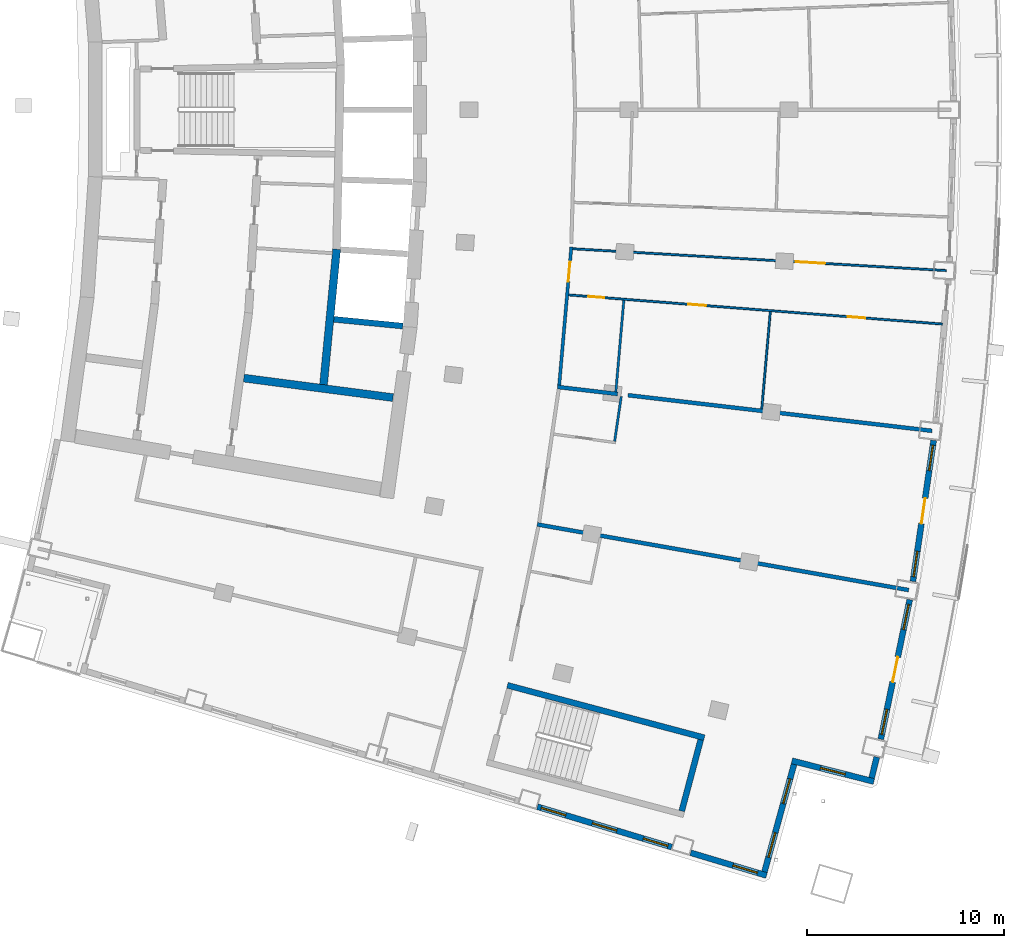
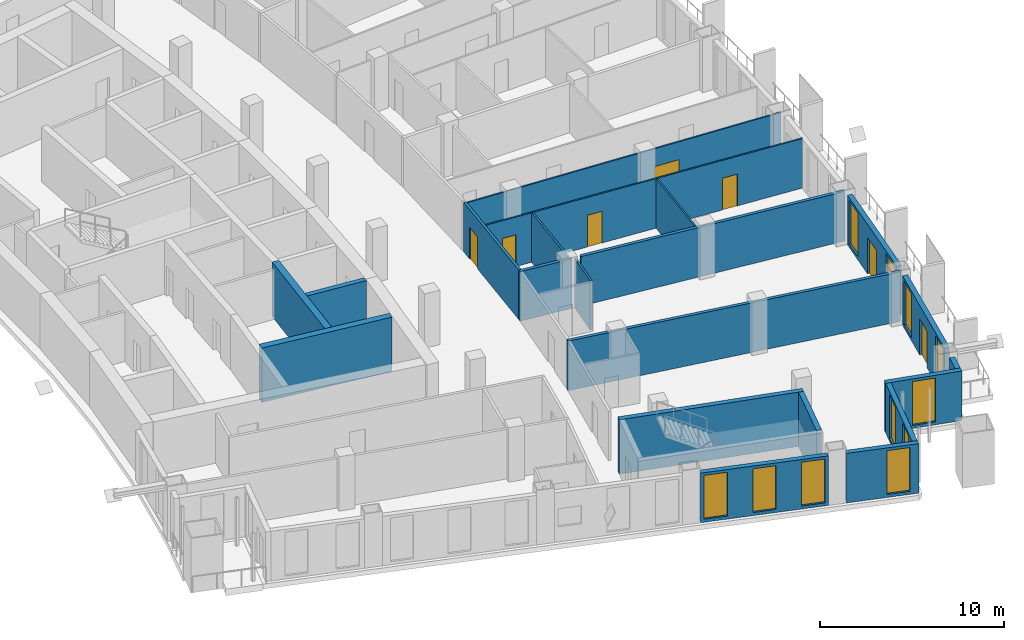
# One storey, part 12 of 21: 21 walls, 11 windows, 7 doors, 18 openings.
"""IFC4 building model written with IfcOpenShell, lengths in metres."""

from ifc_helpers import new_model, si_unit, direction, frame, frame_2d, origin, place, context, subcontext, project, spatial, rectangle, extrude, material, layer, layer_set, type_object, element, fill, save


model = new_model("IFC4")

# Units and contexts
model_context = context("Model", 3, precision=1e-05, world=origin(), true_north=direction((0.0, 1.0)))
body_context = subcontext(model_context, "Body", "Model", "MODEL_VIEW")
ifc_project = project(units=[si_unit("LENGTHUNIT", "METRE"), si_unit("AREAUNIT", "SQUARE_METRE"), si_unit("VOLUMEUNIT", "CUBIC_METRE"), si_unit("PLANEANGLEUNIT", "RADIAN"), si_unit("MASSUNIT", "GRAM", prefix="KILO")], contexts=[model_context])

# Site, building, storey
site_placement = place(None, origin())
site = spatial("IfcSite", under=ifc_project, at=site_placement, CompositionType="ELEMENT")
building_placement = place(site_placement, origin())
building = spatial("IfcBuilding", under=site, at=building_placement, Name="Alderwake Tower", CompositionType="ELEMENT")
storey_placement = place(building_placement, frame((0.0, 0.0, 146.0)))
storey = spatial("IfcBuildingStorey", under=building, at=storey_placement, Name="L35", CompositionType="ELEMENT", Elevation=146.0)

# Walls
ifc_material_1 = material(Name="Concrete C70/85", Category="concrete")
ifc_layer_1 = layer(ifc_material_1, 0.300048828125)
ifc_layer_set_1 = layer_set([ifc_layer_1], Name="Core wall shaft 300 C70-85")
wall_type_1 = type_object("IfcWallType", Name="Core wall shaft 300 C70-85", PredefinedType="SHEAR", material=ifc_layer_set_1)
wall_1_placement = place(storey_placement, frame((28.92529296875, 50.341552734375, 0.0), z_axis=(0.0, 0.0, 1.0), x_axis=(0.995245524877, -0.097397870674, 0.0)))
element("IfcWall", 1, at=wall_1_placement, inside=storey, type_object=wall_type_1, Name="Core wall CW.064", PredefinedType="SHEAR", context=body_context, shape_type="SweptSolid", body=[
    extrude(rectangle(XDim=3.5244140625, YDim=0.300048828125, at=frame_2d((1.76220703125, 0.0))), origin(), (0.0, 0.0, 1.0), 3.60009765625),
])
ifc_material_2 = material(Name="Concrete C70/85", Category="concrete")
ifc_layer_2 = layer(ifc_material_2, 0.39990234375)
ifc_layer_set_2 = layer_set([ifc_layer_2], Name="Core wall spine 400 C70-85")
wall_type_2 = type_object("IfcWallType", Name="Core wall spine 400 C70-85", PredefinedType="SHEAR", material=ifc_layer_set_2)
wall_2_placement = place(storey_placement, frame((28.402587890625, 47.0234375, 0.0), z_axis=(0.0, 0.0, 1.0), x_axis=(0.096500230077, 0.995332962177, 0.0)))
element("IfcWall", 2, at=wall_2_placement, inside=storey, type_object=wall_type_2, Name="Core wall CW.005", PredefinedType="SHEAR", context=body_context, shape_type="SweptSolid", body=[
    extrude(rectangle(XDim=6.914306640625, YDim=0.39990234375, at=frame_2d((3.45703125, 0.0))), origin(), (0.0, 0.0, 1.0), 3.60009765625),
])
wall_3_placement = place(storey_placement, frame((24.347900390625, 47.35205078125, 0.0), z_axis=(0.0, 0.0, 1.0), x_axis=(0.991554795689, -0.129688423329, 0.0)))
element("IfcWall", 3, at=wall_3_placement, inside=storey, type_object=wall_type_2, Name="Core wall CW.069", PredefinedType="SHEAR", context=body_context, shape_type="SweptSolid", body=[
    extrude(rectangle(XDim=7.650634765625, YDim=0.39990234375, at=frame_2d((3.8251953125, 0.0))), origin(), (0.0, 0.0, 1.0), 3.60009765625),
])
ifc_material_3 = material(Name="Concrete C70/85", Category="concrete")
ifc_layer_3 = layer(ifc_material_3, 0.300048828125)
ifc_layer_set_3 = layer_set([ifc_layer_3], Name="Core wall stair enclosure 300 C70-85")
wall_type_3 = type_object("IfcWallType", Name="Core wall stair enclosure 300 C70-85", PredefinedType="SHEAR", material=ifc_layer_set_3)
wall_4_placement = place(storey_placement, frame((37.75390625, 31.731201171875, 0.0), z_axis=(0.0, 0.0, 1.0), x_axis=(0.966309214305, -0.257383958996, 0.0)))
element("IfcWall", 4, at=wall_4_placement, inside=storey, type_object=wall_type_3, Name="Core wall CW.086", PredefinedType="SHEAR", context=body_context, shape_type="SweptSolid", body=[
    extrude(rectangle(XDim=10.360107421875, YDim=0.300048828125, at=frame_2d((5.18017578125, 0.0))), origin(), (0.0, 0.0, 1.0), 3.60009765625),
])
wall_5_placement = place(storey_placement, frame((46.6162109375, 25.334716796875, 0.0), z_axis=(0.0, 0.0, 1.0), x_axis=(0.257366821694, 0.966313778796, 0.0)))
element("IfcWall", 5, at=wall_5_placement, inside=storey, type_object=wall_type_3, Name="Core wall CW.085", PredefinedType="SHEAR", context=body_context, shape_type="SweptSolid", body=[
    extrude(rectangle(XDim=3.749755859375, YDim=0.300048828125, at=frame_2d((1.875, 0.0))), origin(), (0.0, 0.0, 1.0), 3.60009765625),
])

# Wall, opening, door
ifc_material_4 = material(Name="Gypsum board on metal studs, rated")
ifc_layer_4 = layer(ifc_material_4, 0.159912109375)
ifc_layer_set_4 = layer_set([ifc_layer_4], Name="Corridor wall 160")
wall_type_4 = type_object("IfcWallType", Name="Corridor wall 160", PredefinedType="PARTITIONING", material=ifc_layer_set_4)
wall_6_placement = place(storey_placement, frame((41.001953125, 54.013671875, 0.0), z_axis=(0.0, 0.0, 1.0), x_axis=(-0.087430787456, -0.996170596537, 0.0)))
wall_6 = element("IfcWall", 6, at=wall_6_placement, inside=storey, type_object=wall_type_4, Name="WL/L35/W24", PredefinedType="PARTITIONING", context=body_context, shape_type="SweptSolid", body=[
    extrude(rectangle(XDim=7.048095703125, YDim=0.159912109375, at=frame_2d((3.52392578125, 0.0))), origin(), (0.0, 0.0, 1.0), 3.280029296875),
])
opening_1_placement = place(wall_6_placement, frame((0.75830078125, 0.0, 0.0)))
opening_1 = element("IfcOpeningElement", 7, at=opening_1_placement, cuts=wall_6, Name="Opening R09-U05.2", PredefinedType="OPENING", context=body_context, shape_type="SweptSolid", body=[
    extrude(rectangle(XDim=1.0, YDim=2.10009765625, at=frame_2d((0.5, 1.050048828125))), frame((0.0, 0.08984375, 0.0), z_axis=(0.0, -1.0, 0.0), x_axis=(1.0, 0.0, 0.0)), (0.0, 0.0, 1.0), 0.179931640625),
])
ifc_material_5 = material(Name="Solid timber leaf in steel frame", Category="steel")
door_type_1 = type_object("IfcDoorType", Name="Flat entrance door 1000 fire-rated", OperationType="SINGLE_SWING_LEFT", PredefinedType="DOOR", material=ifc_material_5)
door_1_placement = place(opening_1_placement, origin())
door_1 = element("IfcDoor", 8, at=door_1_placement, inside=storey, type_object=door_type_1, Name="DR/L35/U05.2", OperationType="SINGLE_SWING_LEFT", OverallHeight=2.10009765625, OverallWidth=1.0, PredefinedType="DOOR", context=body_context, shape_type="SweptSolid", body=[
    extrude(rectangle(XDim=1.0, YDim=2.10009765625, at=frame_2d((0.5, 1.050048828125))), frame((0.0, 0.02490234375, 0.0), z_axis=(0.0, -1.0, 0.0), x_axis=(1.0, 0.0, 0.0)), (0.0, 0.0, 1.0), 0.050048828125),
])
fill(opening_1, door_1)

# Wall
ifc_material_6 = material(Name="Precast concrete C50/60 spandrel panel", Category="concrete")
ifc_layer_5 = layer(ifc_material_6, 0.300048828125)
ifc_layer_set_5 = layer_set([ifc_layer_5], Name="External wall EW1 Precast concrete C50/60 spandrel")
wall_type_5 = type_object("IfcWallType", Name="External wall EW1 Precast concrete C50/60 spandrel", PredefinedType="SOLIDWALL", material=ifc_layer_set_5)
wall_7_placement = place(storey_placement, frame((56.27490234375, 27.021240234375, 0.0), z_axis=(0.0, 0.0, 1.0), x_axis=(0.238432301371, 0.971159120671, 0.0)))
element("IfcWall", 9, at=wall_7_placement, inside=storey, type_object=wall_type_5, Name="External wall 11", PredefinedType="SOLIDWALL", context=body_context, shape_type="SweptSolid", body=[
    extrude(rectangle(XDim=1.092529296875, YDim=0.300048828125, at=frame_2d((0.54638671875, 0.0))), origin(), (0.0, 0.0, 1.0), 3.280029296875),
])

# Wall, openings, door, windows
wall_8_placement = place(storey_placement, frame((56.739990234375, 28.98828125, 0.0), z_axis=(0.0, 0.0, 1.0), x_axis=(0.202747108549, 0.97923113205, 0.0)))
wall_8 = element("IfcWall", 10, at=wall_8_placement, inside=storey, type_object=wall_type_5, Name="External wall 12", PredefinedType="SOLIDWALL", context=body_context, shape_type="SweptSolid", body=[
    extrude(rectangle(XDim=7.245361328125, YDim=0.300048828125, at=frame_2d((3.62255859375, 0.0))), origin(), (0.0, 0.0, 1.0), 3.280029296875),
])
opening_2_placement = place(wall_8_placement, frame((0.2470703125, 0.0, 0.199951171875)))
opening_2 = element("IfcOpeningElement", 11, at=opening_2_placement, cuts=wall_8, Name="Opening W1", PredefinedType="OPENING", context=body_context, shape_type="SweptSolid", body=[
    extrude(rectangle(XDim=1.300048828125, YDim=2.89990234375, at=frame_2d((0.64990234375, 1.449951171875))), frame((0.0, 0.159912109375, 0.0), z_axis=(0.0, -1.0, 0.0), x_axis=(1.0, 0.0, 0.0)), (0.0, 0.0, 1.0), 0.320068359375),
])
opening_3_placement = place(wall_8_placement, frame((2.97265625, 0.0, 0.0)))
opening_3 = element("IfcOpeningElement", 12, at=opening_3_placement, cuts=wall_8, Name="Opening D02", PredefinedType="OPENING", context=body_context, shape_type="SweptSolid", body=[
    extrude(rectangle(XDim=1.300048828125, YDim=2.39990234375, at=frame_2d((0.64990234375, 1.199951171875))), frame((0.0, 0.159912109375, 0.0), z_axis=(0.0, -1.0, 0.0), x_axis=(1.0, 0.0, 0.0)), (0.0, 0.0, 1.0), 0.320068359375),
])
opening_4_placement = place(wall_8_placement, frame((5.698486328125, 0.0, 0.199951171875)))
opening_4 = element("IfcOpeningElement", 13, at=opening_4_placement, cuts=wall_8, Name="Opening W1", PredefinedType="OPENING", context=body_context, shape_type="SweptSolid", body=[
    extrude(rectangle(XDim=1.300048828125, YDim=2.89990234375, at=frame_2d((0.64990234375, 1.449951171875))), frame((0.0, 0.159912109375, 0.0), z_axis=(0.0, -1.0, 0.0), x_axis=(1.0, 0.0, 0.0)), (0.0, 0.0, 1.0), 0.320068359375),
])
ifc_material_7 = material(Name="Bronze tinted glass in aluminium frame", Category="aluminium")
door_type_2 = type_object("IfcDoorType", Name="Balcony door BD sliding", OperationType="SLIDING_TO_LEFT", PredefinedType="DOOR", material=ifc_material_7)
door_2_placement = place(opening_3_placement, origin())
door_2 = element("IfcDoor", 14, at=door_2_placement, inside=storey, type_object=door_type_2, Name="Door D02", OperationType="SLIDING_TO_LEFT", OverallHeight=2.39990234375, OverallWidth=1.300048828125, PredefinedType="DOOR", context=body_context, shape_type="SweptSolid", body=[
    extrude(rectangle(XDim=1.300048828125, YDim=2.39990234375, at=frame_2d((0.64990234375, 1.199951171875))), frame((0.0, 0.02490234375, 0.0), z_axis=(0.0, -1.0, 0.0), x_axis=(1.0, 0.0, 0.0)), (0.0, 0.0, 1.0), 0.050048828125),
])
fill(opening_3, door_2)
ifc_material_8 = material(Name="Bronze tinted glass in aluminium frame", Category="aluminium")
window_type = type_object("IfcWindowType", Name="Window W1 tall fixed and vent", PartitioningType="DOUBLE_PANEL_VERTICAL", PredefinedType="WINDOW", material=ifc_material_8)
window_1_placement = place(opening_2_placement, origin())
window_1 = element("IfcWindow", 15, at=window_1_placement, inside=storey, type_object=window_type, Name="Window W1 tall fixed and vent", OverallHeight=2.89990234375, OverallWidth=1.300048828125, PartitioningType="DOUBLE_PANEL_VERTICAL", PredefinedType="WINDOW", context=body_context, shape_type="SweptSolid", body=[
    extrude(rectangle(XDim=1.300048828125, YDim=2.89990234375, at=frame_2d((0.64990234375, 1.449951171875))), frame((0.0, 0.030029296875, 0.0), z_axis=(0.0, -1.0, 0.0), x_axis=(1.0, 0.0, 0.0)), (0.0, 0.0, 1.0), 0.06005859375),
])
fill(opening_2, window_1)
window_2_placement = place(opening_4_placement, origin())
window_2 = element("IfcWindow", 16, at=window_2_placement, inside=storey, type_object=window_type, Name="Window W1 tall fixed and vent", OverallHeight=2.89990234375, OverallWidth=1.300048828125, PartitioningType="DOUBLE_PANEL_VERTICAL", PredefinedType="WINDOW", context=body_context, shape_type="SweptSolid", body=[
    extrude(rectangle(XDim=1.300048828125, YDim=2.89990234375, at=frame_2d((0.64990234375, 1.449951171875))), frame((0.0, 0.030029296875, 0.0), z_axis=(0.0, -1.0, 0.0), x_axis=(1.0, 0.0, 0.0)), (0.0, 0.0, 1.0), 0.06005859375),
])
fill(opening_4, window_2)

wall_9_placement = place(storey_placement, frame((58.37353515625, 37.0146484375, 0.0), z_axis=(0.0, 0.0, 1.0), x_axis=(0.145331014962, 0.989383088642, 0.0)))
wall_9 = element("IfcWall", 17, at=wall_9_placement, inside=storey, type_object=wall_type_5, Name="External wall 13", PredefinedType="SOLIDWALL", context=body_context, shape_type="SweptSolid", body=[
    extrude(rectangle(XDim=7.245361328125, YDim=0.300048828125, at=frame_2d((3.62255859375, 0.0))), origin(), (0.0, 0.0, 1.0), 3.280029296875),
])
opening_5_placement = place(wall_9_placement, frame((0.2470703125, 0.0, 0.199951171875)))
opening_5 = element("IfcOpeningElement", 18, at=opening_5_placement, cuts=wall_9, Name="Opening W1", PredefinedType="OPENING", context=body_context, shape_type="SweptSolid", body=[
    extrude(rectangle(XDim=1.300048828125, YDim=2.89990234375, at=frame_2d((0.64990234375, 1.449951171875))), frame((0.0, 0.159912109375, 0.0), z_axis=(0.0, -1.0, 0.0), x_axis=(1.0, 0.0, 0.0)), (0.0, 0.0, 1.0), 0.320068359375),
])
opening_6_placement = place(wall_9_placement, frame((2.97265625, 0.0, 0.0)))
opening_6 = element("IfcOpeningElement", 19, at=opening_6_placement, cuts=wall_9, Name="Opening D03", PredefinedType="OPENING", context=body_context, shape_type="SweptSolid", body=[
    extrude(rectangle(XDim=1.300048828125, YDim=2.39990234375, at=frame_2d((0.64990234375, 1.199951171875))), frame((0.0, 0.159912109375, 0.0), z_axis=(0.0, -1.0, 0.0), x_axis=(1.0, 0.0, 0.0)), (0.0, 0.0, 1.0), 0.320068359375),
])
opening_7_placement = place(wall_9_placement, frame((5.698486328125, 0.0, 0.199951171875)))
opening_7 = element("IfcOpeningElement", 20, at=opening_7_placement, cuts=wall_9, Name="Opening W1", PredefinedType="OPENING", context=body_context, shape_type="SweptSolid", body=[
    extrude(rectangle(XDim=1.300048828125, YDim=2.89990234375, at=frame_2d((0.64990234375, 1.449951171875))), frame((0.0, 0.159912109375, 0.0), z_axis=(0.0, -1.0, 0.0), x_axis=(1.0, 0.0, 0.0)), (0.0, 0.0, 1.0), 0.320068359375),
])
door_3_placement = place(opening_6_placement, origin())
door_3 = element("IfcDoor", 21, at=door_3_placement, inside=storey, type_object=door_type_2, Name="Door D03", OperationType="SLIDING_TO_LEFT", OverallHeight=2.39990234375, OverallWidth=1.300048828125, PredefinedType="DOOR", context=body_context, shape_type="SweptSolid", body=[
    extrude(rectangle(XDim=1.300048828125, YDim=2.39990234375, at=frame_2d((0.64990234375, 1.199951171875))), frame((0.0, 0.02490234375, 0.0), z_axis=(0.0, -1.0, 0.0), x_axis=(1.0, 0.0, 0.0)), (0.0, 0.0, 1.0), 0.050048828125),
])
fill(opening_6, door_3)
window_3_placement = place(opening_5_placement, origin())
window_3 = element("IfcWindow", 22, at=window_3_placement, inside=storey, type_object=window_type, Name="Window W1 tall fixed and vent", OverallHeight=2.89990234375, OverallWidth=1.300048828125, PartitioningType="DOUBLE_PANEL_VERTICAL", PredefinedType="WINDOW", context=body_context, shape_type="SweptSolid", body=[
    extrude(rectangle(XDim=1.300048828125, YDim=2.89990234375, at=frame_2d((0.64990234375, 1.449951171875))), frame((0.0, 0.030029296875, 0.0), z_axis=(0.0, -1.0, 0.0), x_axis=(1.0, 0.0, 0.0)), (0.0, 0.0, 1.0), 0.06005859375),
])
fill(opening_5, window_3)
window_4_placement = place(opening_7_placement, origin())
window_4 = element("IfcWindow", 23, at=window_4_placement, inside=storey, type_object=window_type, Name="Window W1 tall fixed and vent", OverallHeight=2.89990234375, OverallWidth=1.300048828125, PartitioningType="DOUBLE_PANEL_VERTICAL", PredefinedType="WINDOW", context=body_context, shape_type="SweptSolid", body=[
    extrude(rectangle(XDim=1.300048828125, YDim=2.89990234375, at=frame_2d((0.64990234375, 1.449951171875))), frame((0.0, 0.030029296875, 0.0), z_axis=(0.0, -1.0, 0.0), x_axis=(1.0, 0.0, 0.0)), (0.0, 0.0, 1.0), 0.06005859375),
])
fill(opening_7, window_4)

# Wall, openings, windows
ifc_material_9 = material(Name="Bronze metal cladding on lightweight framing")
ifc_layer_6 = layer(ifc_material_9, 0.300048828125)
ifc_layer_set_6 = layer_set([ifc_layer_6], Name="External wall EW2 bronze metal cladding")
wall_type_6 = type_object("IfcWallType", Name="External wall EW2 bronze metal cladding", PredefinedType="SOLIDWALL", material=ifc_layer_set_6)
wall_10_placement = place(storey_placement, frame((39.279052734375, 25.554443359375, 0.0), z_axis=(0.0, 0.0, 1.0), x_axis=(0.957760288356, -0.287567783397, 0.0)))
wall_10 = element("IfcWall", 24, at=wall_10_placement, inside=storey, type_object=wall_type_6, Name="External wall 7", PredefinedType="SOLIDWALL", context=body_context, shape_type="SweptSolid", body=[
    extrude(rectangle(XDim=7.1298828125, YDim=0.300048828125, at=frame_2d((3.56494140625, 0.0))), origin(), (0.0, 0.0, 1.0), 3.280029296875),
])
opening_8_placement = place(wall_10_placement, frame((0.20361328125, 0.0, 0.199951171875)))
opening_8 = element("IfcOpeningElement", 25, at=opening_8_placement, cuts=wall_10, Name="Opening W1", PredefinedType="OPENING", context=body_context, shape_type="SweptSolid", body=[
    extrude(rectangle(XDim=1.300048828125, YDim=2.89990234375, at=frame_2d((0.64990234375, 1.449951171875))), frame((0.0, 0.159912109375, 0.0), z_axis=(0.0, -1.0, 0.0), x_axis=(1.0, 0.0, 0.0)), (0.0, 0.0, 1.0), 0.320068359375),
])
opening_9_placement = place(wall_10_placement, frame((2.914794921875, 0.0, 0.199951171875)))
opening_9 = element("IfcOpeningElement", 26, at=opening_9_placement, cuts=wall_10, Name="Opening W1", PredefinedType="OPENING", context=body_context, shape_type="SweptSolid", body=[
    extrude(rectangle(XDim=1.300048828125, YDim=2.89990234375, at=frame_2d((0.64990234375, 1.449951171875))), frame((0.0, 0.159912109375, 0.0), z_axis=(0.0, -1.0, 0.0), x_axis=(1.0, 0.0, 0.0)), (0.0, 0.0, 1.0), 0.320068359375),
])
opening_10_placement = place(wall_10_placement, frame((5.6259765625, 0.0, 0.199951171875)))
opening_10 = element("IfcOpeningElement", 27, at=opening_10_placement, cuts=wall_10, Name="Opening W1", PredefinedType="OPENING", context=body_context, shape_type="SweptSolid", body=[
    extrude(rectangle(XDim=1.300048828125, YDim=2.89990234375, at=frame_2d((0.64990234375, 1.449951171875))), frame((0.0, 0.159912109375, 0.0), z_axis=(0.0, -1.0, 0.0), x_axis=(1.0, 0.0, 0.0)), (0.0, 0.0, 1.0), 0.320068359375),
])
window_5_placement = place(opening_8_placement, origin())
window_5 = element("IfcWindow", 28, at=window_5_placement, inside=storey, type_object=window_type, Name="Window W1 tall fixed and vent", OverallHeight=2.89990234375, OverallWidth=1.300048828125, PartitioningType="DOUBLE_PANEL_VERTICAL", PredefinedType="WINDOW", context=body_context, shape_type="SweptSolid", body=[
    extrude(rectangle(XDim=1.300048828125, YDim=2.89990234375, at=frame_2d((0.64990234375, 1.449951171875))), frame((0.0, 0.030029296875, 0.0), z_axis=(0.0, -1.0, 0.0), x_axis=(1.0, 0.0, 0.0)), (0.0, 0.0, 1.0), 0.06005859375),
])
fill(opening_8, window_5)
window_6_placement = place(opening_9_placement, origin())
window_6 = element("IfcWindow", 29, at=window_6_placement, inside=storey, type_object=window_type, Name="Window W1 tall fixed and vent", OverallHeight=2.89990234375, OverallWidth=1.300048828125, PartitioningType="DOUBLE_PANEL_VERTICAL", PredefinedType="WINDOW", context=body_context, shape_type="SweptSolid", body=[
    extrude(rectangle(XDim=1.300048828125, YDim=2.89990234375, at=frame_2d((0.64990234375, 1.449951171875))), frame((0.0, 0.030029296875, 0.0), z_axis=(0.0, -1.0, 0.0), x_axis=(1.0, 0.0, 0.0)), (0.0, 0.0, 1.0), 0.06005859375),
])
fill(opening_9, window_6)
window_7_placement = place(opening_10_placement, origin())
window_7 = element("IfcWindow", 30, at=window_7_placement, inside=storey, type_object=window_type, Name="Window W1 tall fixed and vent", OverallHeight=2.89990234375, OverallWidth=1.300048828125, PartitioningType="DOUBLE_PANEL_VERTICAL", PredefinedType="WINDOW", context=body_context, shape_type="SweptSolid", body=[
    extrude(rectangle(XDim=1.300048828125, YDim=2.89990234375, at=frame_2d((0.64990234375, 1.449951171875))), frame((0.0, 0.030029296875, 0.0), z_axis=(0.0, -1.0, 0.0), x_axis=(1.0, 0.0, 0.0)), (0.0, 0.0, 1.0), 0.06005859375),
])
fill(opening_10, window_7)

# Wall, opening, window
wall_11_placement = place(storey_placement, frame((47.06884765625, 23.215576171875, 0.0), z_axis=(0.0, 0.0, 1.0), x_axis=(0.957766232728, -0.287547984598, 0.0)))
wall_11 = element("IfcWall", 31, at=wall_11_placement, inside=storey, type_object=wall_type_6, Name="External wall 8", PredefinedType="SOLIDWALL", context=body_context, shape_type="SweptSolid", body=[
    extrude(rectangle(XDim=4.029541015625, YDim=0.300048828125, at=frame_2d((2.0146484375, 0.0))), origin(), (0.0, 0.0, 1.0), 3.280029296875),
])
opening_11_placement = place(wall_11_placement, frame((2.24658203125, 0.0, 0.199951171875)))
opening_11 = element("IfcOpeningElement", 32, at=opening_11_placement, cuts=wall_11, Name="Opening W1", PredefinedType="OPENING", context=body_context, shape_type="SweptSolid", body=[
    extrude(rectangle(XDim=1.300048828125, YDim=2.89990234375, at=frame_2d((0.64990234375, 1.449951171875))), frame((0.0, 0.159912109375, 0.0), z_axis=(0.0, -1.0, 0.0), x_axis=(1.0, 0.0, 0.0)), (0.0, 0.0, 1.0), 0.320068359375),
])
window_8_placement = place(opening_11_placement, origin())
window_8 = element("IfcWindow", 33, at=window_8_placement, inside=storey, type_object=window_type, Name="Window W1 tall fixed and vent", OverallHeight=2.89990234375, OverallWidth=1.300048828125, PartitioningType="DOUBLE_PANEL_VERTICAL", PredefinedType="WINDOW", context=body_context, shape_type="SweptSolid", body=[
    extrude(rectangle(XDim=1.300048828125, YDim=2.89990234375, at=frame_2d((0.64990234375, 1.449951171875))), frame((0.0, 0.030029296875, 0.0), z_axis=(0.0, -1.0, 0.0), x_axis=(1.0, 0.0, 0.0)), (0.0, 0.0, 1.0), 0.06005859375),
])
fill(opening_11, window_8)

# Wall, openings, windows
wall_12_placement = place(storey_placement, frame((50.82421875, 22.24462890625, 0.0), z_axis=(0.0, 0.0, 1.0), x_axis=(0.265135464682, 0.964211172601, 0.0)))
wall_12 = element("IfcWall", 34, at=wall_12_placement, inside=storey, type_object=wall_type_6, Name="External wall 9", PredefinedType="SOLIDWALL", context=body_context, shape_type="SweptSolid", body=[
    extrude(rectangle(XDim=5.66943359375, YDim=0.300048828125, at=frame_2d((2.834716796875, 0.0))), origin(), (0.0, 0.0, 1.0), 3.280029296875),
])
opening_12_placement = place(wall_12_placement, frame((0.767333984375, 0.0, 0.199951171875)))
opening_12 = element("IfcOpeningElement", 35, at=opening_12_placement, cuts=wall_12, Name="Opening W1", PredefinedType="OPENING", context=body_context, shape_type="SweptSolid", body=[
    extrude(rectangle(XDim=1.300048828125, YDim=2.89990234375, at=frame_2d((0.64990234375, 1.449951171875))), frame((0.0, 0.159912109375, 0.0), z_axis=(0.0, -1.0, 0.0), x_axis=(1.0, 0.0, 0.0)), (0.0, 0.0, 1.0), 0.320068359375),
])
opening_13_placement = place(wall_12_placement, frame((3.60205078125, 0.0, 0.199951171875)))
opening_13 = element("IfcOpeningElement", 36, at=opening_13_placement, cuts=wall_12, Name="Opening W1", PredefinedType="OPENING", context=body_context, shape_type="SweptSolid", body=[
    extrude(rectangle(XDim=1.300048828125, YDim=2.89990234375, at=frame_2d((0.64990234375, 1.449951171875))), frame((0.0, 0.159912109375, 0.0), z_axis=(0.0, -1.0, 0.0), x_axis=(1.0, 0.0, 0.0)), (0.0, 0.0, 1.0), 0.320068359375),
])
window_9_placement = place(opening_12_placement, origin())
window_9 = element("IfcWindow", 37, at=window_9_placement, inside=storey, type_object=window_type, Name="Window W1 tall fixed and vent", OverallHeight=2.89990234375, OverallWidth=1.300048828125, PartitioningType="DOUBLE_PANEL_VERTICAL", PredefinedType="WINDOW", context=body_context, shape_type="SweptSolid", body=[
    extrude(rectangle(XDim=1.300048828125, YDim=2.89990234375, at=frame_2d((0.64990234375, 1.449951171875))), frame((0.0, 0.030029296875, 0.0), z_axis=(0.0, -1.0, 0.0), x_axis=(1.0, 0.0, 0.0)), (0.0, 0.0, 1.0), 0.06005859375),
])
fill(opening_12, window_9)
window_10_placement = place(opening_13_placement, origin())
window_10 = element("IfcWindow", 38, at=window_10_placement, inside=storey, type_object=window_type, Name="Window W1 tall fixed and vent", OverallHeight=2.89990234375, OverallWidth=1.300048828125, PartitioningType="DOUBLE_PANEL_VERTICAL", PredefinedType="WINDOW", context=body_context, shape_type="SweptSolid", body=[
    extrude(rectangle(XDim=1.300048828125, YDim=2.89990234375, at=frame_2d((0.64990234375, 1.449951171875))), frame((0.0, 0.030029296875, 0.0), z_axis=(0.0, -1.0, 0.0), x_axis=(1.0, 0.0, 0.0)), (0.0, 0.0, 1.0), 0.06005859375),
])
fill(opening_13, window_10)

# Wall, opening, window
wall_13_placement = place(storey_placement, frame((52.2216796875, 27.892578125, 0.0), z_axis=(0.0, 0.0, 1.0), x_axis=(0.969429385377, -0.245370468408, 0.0)))
wall_13 = element("IfcWall", 39, at=wall_13_placement, inside=storey, type_object=wall_type_6, Name="External wall 10", PredefinedType="SOLIDWALL", context=body_context, shape_type="SweptSolid", body=[
    extrude(rectangle(XDim=4.29443359375, YDim=0.300048828125, at=frame_2d((2.147216796875, 0.0))), origin(), (0.0, 0.0, 1.0), 3.280029296875),
])
opening_14_placement = place(wall_13_placement, frame((1.4970703125, 0.0, 0.199951171875)))
opening_14 = element("IfcOpeningElement", 40, at=opening_14_placement, cuts=wall_13, Name="Opening W1", PredefinedType="OPENING", context=body_context, shape_type="SweptSolid", body=[
    extrude(rectangle(XDim=1.300048828125, YDim=2.89990234375, at=frame_2d((0.64990234375, 1.449951171875))), frame((0.0, 0.159912109375, 0.0), z_axis=(0.0, -1.0, 0.0), x_axis=(1.0, 0.0, 0.0)), (0.0, 0.0, 1.0), 0.320068359375),
])
window_11_placement = place(opening_14_placement, origin())
window_11 = element("IfcWindow", 41, at=window_11_placement, inside=storey, type_object=window_type, Name="Window W1 tall fixed and vent", OverallHeight=2.89990234375, OverallWidth=1.300048828125, PartitioningType="DOUBLE_PANEL_VERTICAL", PredefinedType="WINDOW", context=body_context, shape_type="SweptSolid", body=[
    extrude(rectangle(XDim=1.300048828125, YDim=2.89990234375, at=frame_2d((0.64990234375, 1.449951171875))), frame((0.0, 0.030029296875, 0.0), z_axis=(0.0, -1.0, 0.0), x_axis=(1.0, 0.0, 0.0)), (0.0, 0.0, 1.0), 0.06005859375),
])
fill(opening_14, window_11)

# Walls
ifc_material_10 = material(Name="Dense block masonry wall", Category="masonry")
ifc_layer_7 = layer(ifc_material_10, 0.199951171875)
ifc_layer_set_7 = layer_set([ifc_layer_7], Name="Party wall 200")
wall_type_7 = type_object("IfcWallType", Name="Party wall 200", PredefinedType="SOLIDWALL", material=ifc_layer_set_7)
wall_14_placement = place(storey_placement, frame((43.356201171875, 46.542236328125, 0.0), z_axis=(0.0, 0.0, 1.0), x_axis=(-0.993140319253, 0.116928637524, 0.0)))
element("IfcWall", 42, at=wall_14_placement, inside=storey, type_object=wall_type_7, Name="WL/L35/W02", PredefinedType="SOLIDWALL", context=body_context, shape_type="SweptSolid", body=[
    extrude(rectangle(XDim=3.079833984375, YDim=0.199951171875, at=frame_2d((1.5400390625, 0.0))), origin(), (0.0, 0.0, 1.0), 3.280029296875),
])
wall_15_placement = place(storey_placement, frame((58.157958984375, 36.572998046875, 0.0), z_axis=(0.0, 0.0, 1.0), x_axis=(-0.984742528345, 0.174017679758, 0.0)))
element("IfcWall", 43, at=wall_15_placement, inside=storey, type_object=wall_type_7, Name="WL/L35/W04", PredefinedType="SOLIDWALL", context=body_context, shape_type="SweptSolid", body=[
    extrude(rectangle(XDim=19.181396484375, YDim=0.199951171875, at=frame_2d((9.5908203125, 0.0))), origin(), (0.0, 0.0, 1.0), 3.280029296875),
])
wall_16_placement = place(storey_placement, frame((59.345947265625, 44.669921875, 0.0), z_axis=(0.0, 0.0, 1.0), x_axis=(-0.993200294358, 0.116418105499, 0.0)))
element("IfcWall", 44, at=wall_16_placement, inside=storey, type_object=wall_type_7, Name="WL/L35/W05", PredefinedType="SOLIDWALL", context=body_context, shape_type="SweptSolid", body=[
    extrude(rectangle(XDim=15.56689453125, YDim=0.199951171875, at=frame_2d((7.783447265625, 0.0))), origin(), (0.0, 0.0, 1.0), 3.280029296875),
])

# Wall, openings, doors
ifc_material_11 = material(Name="Gypsum board on metal studs")
ifc_layer_8 = layer(ifc_material_11, 0.10009765625)
ifc_layer_set_8 = layer_set([ifc_layer_8], Name="Unit partition 100")
wall_type_8 = type_object("IfcWallType", Name="Unit partition 100", PredefinedType="PARTITIONING", material=ifc_layer_set_8)
wall_17_placement = place(storey_placement, frame((59.8740234375, 50.10009765625, 0.0), z_axis=(0.0, 0.0, 1.0), x_axis=(-0.996975008821, 0.077722788071, 0.0)))
wall_17 = element("IfcWall", 45, at=wall_17_placement, inside=storey, type_object=wall_type_8, Name="WL/L35/W45", PredefinedType="PARTITIONING", context=body_context, shape_type="SweptSolid", body=[
    extrude(rectangle(XDim=19.063720703125, YDim=0.10009765625, at=frame_2d((9.53173828125, 0.0))), origin(), (0.0, 0.0, 1.0), 3.280029296875),
])
opening_15_placement = place(wall_17_placement, frame((12.059814453125, 0.0, 0.0)))
opening_15 = element("IfcOpeningElement", 46, at=opening_15_placement, cuts=wall_17, Name="Opening R09-U05.1", PredefinedType="OPENING", context=body_context, shape_type="SweptSolid", body=[
    extrude(rectangle(XDim=0.89990234375, YDim=2.10009765625, at=frame_2d((0.449951171875, 1.050048828125))), frame((0.0, 0.06005859375, 0.0), z_axis=(0.0, -1.0, 0.0), x_axis=(1.0, 0.0, 0.0)), (0.0, 0.0, 1.0), 0.1201171875),
])
opening_16_placement = place(wall_17_placement, frame((17.25439453125, 0.0, 0.0)))
opening_16 = element("IfcOpeningElement", 47, at=opening_16_placement, cuts=wall_17, Name="Opening R09-U05.3", PredefinedType="OPENING", context=body_context, shape_type="SweptSolid", body=[
    extrude(rectangle(XDim=0.800048828125, YDim=2.10009765625, at=frame_2d((0.39990234375, 1.050048828125))), frame((0.0, 0.06005859375, 0.0), z_axis=(0.0, -1.0, 0.0), x_axis=(1.0, 0.0, 0.0)), (0.0, 0.0, 1.0), 0.1201171875),
])
opening_17_placement = place(wall_17_placement, frame((3.93798828125, 0.0, 0.0)))
opening_17 = element("IfcOpeningElement", 48, at=opening_17_placement, cuts=wall_17, Name="Opening R09-U05.4", PredefinedType="OPENING", context=body_context, shape_type="SweptSolid", body=[
    extrude(rectangle(XDim=0.89990234375, YDim=2.10009765625, at=frame_2d((0.449951171875, 1.050048828125))), frame((0.0, 0.06005859375, 0.0), z_axis=(0.0, -1.0, 0.0), x_axis=(1.0, 0.0, 0.0)), (0.0, 0.0, 1.0), 0.1201171875),
])
ifc_material_12 = material(Name="Painted timber leaf", Category="wood")
door_type_3 = type_object("IfcDoorType", Name="Bathroom door 800", OperationType="SINGLE_SWING_LEFT", PredefinedType="DOOR", material=ifc_material_12)
door_4_placement = place(opening_16_placement, origin())
door_4 = element("IfcDoor", 49, at=door_4_placement, inside=storey, type_object=door_type_3, Name="DR/L35/U05.3", OperationType="SINGLE_SWING_LEFT", OverallHeight=2.10009765625, OverallWidth=0.800048828125, PredefinedType="DOOR", context=body_context, shape_type="SweptSolid", body=[
    extrude(rectangle(XDim=0.800048828125, YDim=2.10009765625, at=frame_2d((0.39990234375, 1.050048828125))), frame((0.0, 0.02490234375, 0.0), z_axis=(0.0, -1.0, 0.0), x_axis=(1.0, 0.0, 0.0)), (0.0, 0.0, 1.0), 0.050048828125),
])
fill(opening_16, door_4)
ifc_material_13 = material(Name="Painted timber leaf", Category="wood")
door_type_4 = type_object("IfcDoorType", Name="Room door 900", OperationType="SINGLE_SWING_LEFT", PredefinedType="DOOR", material=ifc_material_13)
door_5_placement = place(opening_15_placement, origin())
door_5 = element("IfcDoor", 50, at=door_5_placement, inside=storey, type_object=door_type_4, Name="DR/L35/U05.1", OperationType="SINGLE_SWING_LEFT", OverallHeight=2.10009765625, OverallWidth=0.89990234375, PredefinedType="DOOR", context=body_context, shape_type="SweptSolid", body=[
    extrude(rectangle(XDim=0.89990234375, YDim=2.10009765625, at=frame_2d((0.449951171875, 1.050048828125))), frame((0.0, 0.02490234375, 0.0), z_axis=(0.0, -1.0, 0.0), x_axis=(1.0, 0.0, 0.0)), (0.0, 0.0, 1.0), 0.050048828125),
])
fill(opening_15, door_5)
door_6_placement = place(opening_17_placement, origin())
door_6 = element("IfcDoor", 51, at=door_6_placement, inside=storey, type_object=door_type_4, Name="DR/L35/U05.4", OperationType="SINGLE_SWING_LEFT", OverallHeight=2.10009765625, OverallWidth=0.89990234375, PredefinedType="DOOR", context=body_context, shape_type="SweptSolid", body=[
    extrude(rectangle(XDim=0.89990234375, YDim=2.10009765625, at=frame_2d((0.449951171875, 1.050048828125))), frame((0.0, 0.02490234375, 0.0), z_axis=(0.0, -1.0, 0.0), x_axis=(1.0, 0.0, 0.0)), (0.0, 0.0, 1.0), 0.050048828125),
])
fill(opening_17, door_6)

# Wall
wall_18_placement = place(storey_placement, frame((50.687744140625, 45.78369140625, 0.0), z_axis=(0.0, 0.0, 1.0), x_axis=(0.087352937881, 0.996177426086, 0.0)))
element("IfcWall", 52, at=wall_18_placement, inside=storey, type_object=wall_type_8, Name="WL/L35/W51", PredefinedType="PARTITIONING", context=body_context, shape_type="SweptSolid", body=[
    extrude(rectangle(XDim=4.966552734375, YDim=0.10009765625, at=frame_2d((2.4833984375, 0.0))), origin(), (0.0, 0.0, 1.0), 3.280029296875),
])

# Wall, opening, door
wall_19_placement = place(storey_placement, frame((41.074951171875, 53.92919921875, 0.0), z_axis=(0.0, 0.0, 1.0), x_axis=(0.998300831889, -0.058270481797, 0.0)))
wall_19 = element("IfcWall", 53, at=wall_19_placement, inside=storey, type_object=wall_type_8, Name="WL/L35/W56", PredefinedType="PARTITIONING", context=body_context, shape_type="SweptSolid", body=[
    extrude(rectangle(XDim=19.017333984375, YDim=0.10009765625, at=frame_2d((9.5087890625, 0.0))), origin(), (0.0, 0.0, 1.0), 3.280029296875),
])
opening_18_placement = place(wall_19_placement, frame((11.350341796875, 0.0, 0.0)))
opening_18 = element("IfcOpeningElement", 54, at=opening_18_placement, cuts=wall_19, Name="Opening R09-U05.8", PredefinedType="OPENING", context=body_context, shape_type="SweptSolid", body=[
    extrude(rectangle(XDim=1.5, YDim=2.10009765625, at=frame_2d((0.75, 1.050048828125))), frame((0.0, 0.06005859375, 0.0), z_axis=(0.0, -1.0, 0.0), x_axis=(1.0, 0.0, 0.0)), (0.0, 0.0, 1.0), 0.1201171875),
])
ifc_material_14 = material(Name="Painted timber leaves", Category="wood")
door_type_5 = type_object("IfcDoorType", Name="Double leaf door 1500", OperationType="DOUBLE_DOOR_SINGLE_SWING", PredefinedType="DOOR", material=ifc_material_14)
door_7_placement = place(opening_18_placement, origin())
door_7 = element("IfcDoor", 55, at=door_7_placement, inside=storey, type_object=door_type_5, Name="DR/L35/U05.8", OperationType="DOUBLE_DOOR_SINGLE_SWING", OverallHeight=2.10009765625, OverallWidth=1.5, PredefinedType="DOOR", context=body_context, shape_type="SweptSolid", body=[
    extrude(rectangle(XDim=1.5, YDim=2.10009765625, at=frame_2d((0.75, 1.050048828125))), frame((0.0, 0.02490234375, 0.0), z_axis=(0.0, -1.0, 0.0), x_axis=(1.0, 0.0, 0.0)), (0.0, 0.0, 1.0), 0.050048828125),
])
fill(opening_18, door_7)

# Walls
ifc_material_15 = material(Name="Moisture resistant gypsum board on metal studs")
ifc_layer_9 = layer(ifc_material_15, 0.1201171875)
ifc_layer_set_9 = layer_set([ifc_layer_9], Name="Wet room partition 120")
wall_type_9 = type_object("IfcWallType", Name="Wet room partition 120", PredefinedType="PARTITIONING", material=ifc_layer_set_9)
wall_20_placement = place(storey_placement, frame((43.205810546875, 44.138427734375, 0.0), z_axis=(0.0, 0.0, 1.0), x_axis=(0.144604677987, 0.989489508335, 0.0)))
element("IfcWall", 56, at=wall_20_placement, inside=storey, type_object=wall_type_9, Name="WL/L35/W38", PredefinedType="PARTITIONING", context=body_context, shape_type="SweptSolid", body=[
    extrude(rectangle(XDim=2.307861328125, YDim=0.1201171875, at=frame_2d((1.15380859375, 0.0))), origin(), (0.0, 0.0, 1.0), 3.280029296875),
])
wall_21_placement = place(storey_placement, frame((43.265625, 46.65380859375, 0.0), z_axis=(0.0, 0.0, 1.0), x_axis=(0.087069112872, 0.996202273428, 0.0)))
element("IfcWall", 57, at=wall_21_placement, inside=storey, type_object=wall_type_9, Name="WL/L35/W39", PredefinedType="PARTITIONING", context=body_context, shape_type="SweptSolid", body=[
    extrude(rectangle(XDim=4.67431640625, YDim=0.1201171875, at=frame_2d((2.337158203125, 0.0))), origin(), (0.0, 0.0, 1.0), 3.280029296875),
])

save(model, "model.ifc")
